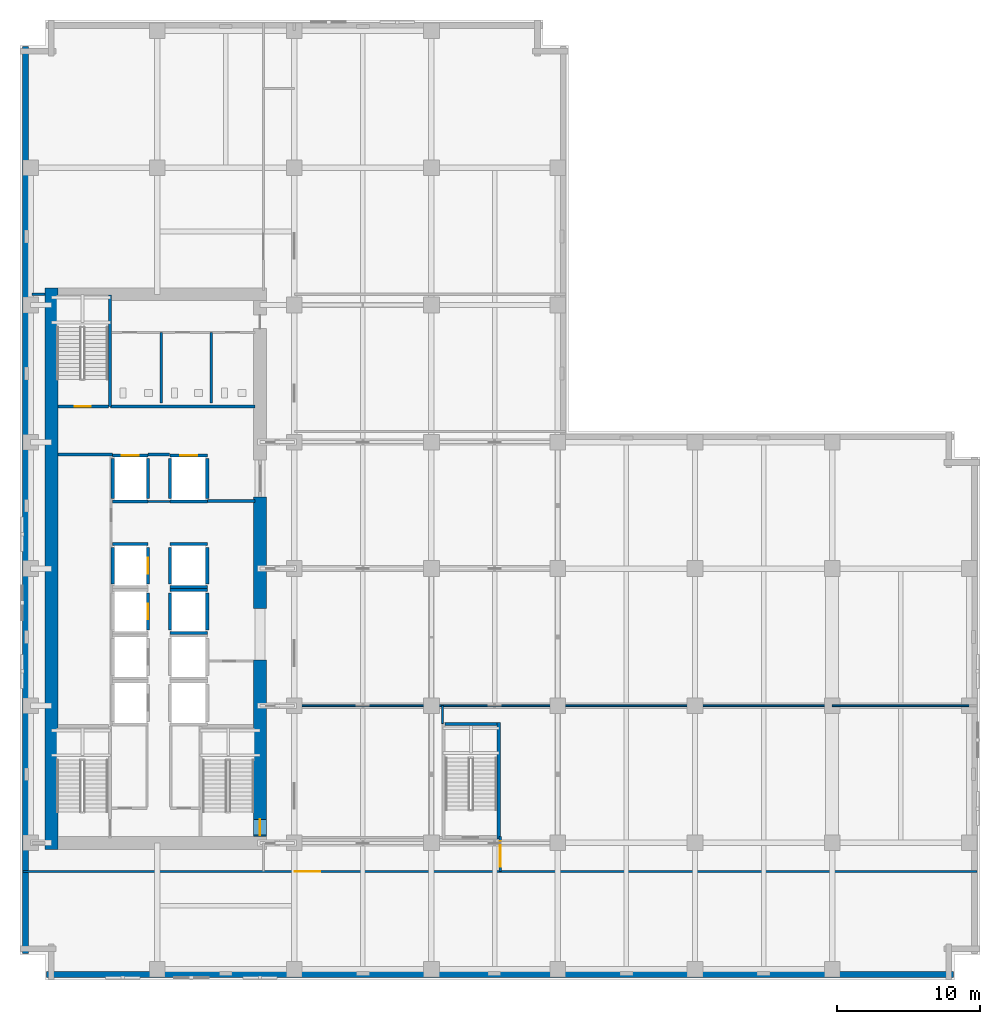
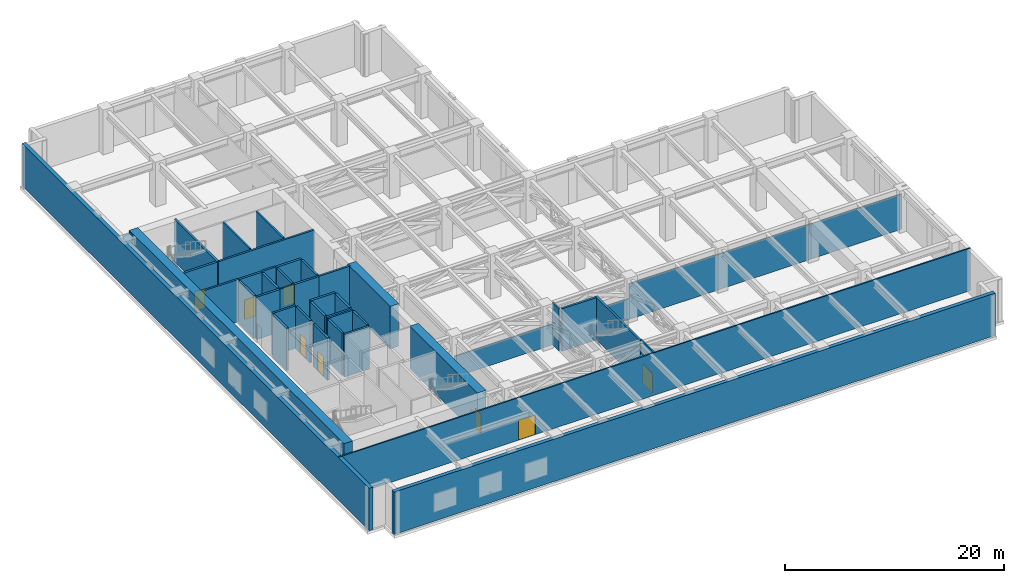
# One storey, part 14 of 22: 43 walls, 8 doors, 8 openings.
"""IFC4 building model written with IfcOpenShell, lengths in metres."""

from ifc_helpers import new_model, si_unit, direction, frame, frame_2d, origin, place, context, subcontext, project, spatial, rectangle, extrude, material, layer, layer_set, type_object, element, fill, save


model = new_model("IFC4")

# Units and contexts
model_context = context("Model", 3, precision=1e-05, world=origin(), true_north=direction((0.0, 1.0)))
body_context = subcontext(model_context, "Body", "Model", "MODEL_VIEW")
ifc_project = project(units=[si_unit("LENGTHUNIT", "METRE"), si_unit("AREAUNIT", "SQUARE_METRE"), si_unit("VOLUMEUNIT", "CUBIC_METRE"), si_unit("PLANEANGLEUNIT", "RADIAN"), si_unit("MASSUNIT", "GRAM", prefix="KILO")], contexts=[model_context])

# Site, building, storey
site_placement = place(None, origin())
site = spatial("IfcSite", under=ifc_project, at=site_placement, CompositionType="ELEMENT")
building_placement = place(site_placement, origin())
building = spatial("IfcBuilding", under=site, at=building_placement, Name="Norrvale University Quadrangle", CompositionType="ELEMENT")
storey_placement = place(building_placement, frame((0.0, 0.0, 96.39990234375)))
storey = spatial("IfcBuildingStorey", under=building, at=storey_placement, Name="L24", CompositionType="ELEMENT", Elevation=96.39990234375)

# Wall
ifc_material_1 = material(Name="Concrete C80/95", Category="concrete")
ifc_layer_1 = layer(ifc_material_1, 0.89990234375, Name="Concrete C80/95")
ifc_layer_set_1 = layer_set([ifc_layer_1], Name="Concrete C80/95")
wall_type_1 = type_object("IfcWallType", Name="Wall Core 900", PredefinedType="SHEAR", material=ifc_layer_set_1)
wall_1_placement = place(storey_placement, frame((2.199951171875, 9.14990234375, 0.0), z_axis=(0.0, 0.0, 1.0), x_axis=(0.0, 1.0, 0.0)))
element("IfcWall", 1, at=wall_1_placement, inside=storey, type_object=wall_type_1, Name="Tower Core Shear Wall L24-W", PredefinedType="SHEAR", context=body_context, shape_type="SweptSolid", body=[
    extrude(rectangle(XDim=39.300048828125, YDim=0.89990234375, at=frame_2d((19.64990234375, 0.0))), origin(), (0.0, 0.0, 1.0), 4.739990234375),
])

# Wall, opening, door
wall_2_placement = place(storey_placement, frame((16.800048828125, 10.050048828125, 0.0), z_axis=(0.0, 0.0, 1.0), x_axis=(0.0, 1.0, 0.0)))
wall_2 = element("IfcWall", 2, at=wall_2_placement, inside=storey, type_object=wall_type_1, Name="Tower Core Shear Wall L24-E1", PredefinedType="SHEAR", context=body_context, shape_type="SweptSolid", body=[
    extrude(rectangle(XDim=12.349853515625, YDim=0.89990234375, at=frame_2d((6.1748046875, 0.0))), origin(), (0.0, 0.0, 1.0), 4.739990234375),
])
opening_1_placement = place(wall_2_placement, frame((0.090087890625, 0.0, 0.0)))
opening_1 = element("IfcOpeningElement", 3, at=opening_1_placement, cuts=wall_2, Name="Opening D02", PredefinedType="OPENING", context=body_context, shape_type="SweptSolid", body=[
    extrude(rectangle(XDim=1.10009765625, YDim=2.199951171875, at=frame_2d((0.550048828125, 1.10009765625))), frame((0.0, 0.4619140625, 0.0), z_axis=(0.0, -1.0, 0.0), x_axis=(1.0, 0.0, 0.0)), (0.0, 0.0, 1.0), 0.923828125),
])
ifc_material_2 = material(Name="Hollow Steel 350W Fire Door", Category="steel")
door_type_1 = type_object("IfcDoorType", Name="Door Stair Exit 1100x2200", OperationType="NOTDEFINED", PredefinedType="DOOR", material=ifc_material_2)
door_1_placement = place(opening_1_placement, origin())
door_1 = element("IfcDoor", 4, at=door_1_placement, inside=storey, type_object=door_type_1, Name="Door Stair Exit 1100x2200 DR-L24-ST03", OperationType="SINGLE_SWING_LEFT", OverallHeight=2.199951171875, OverallWidth=1.10009765625, PredefinedType="DOOR", context=body_context, shape_type="SweptSolid", body=[
    extrude(rectangle(XDim=1.10009765625, YDim=2.199951171875, at=frame_2d((0.550048828125, 1.10009765625))), frame((0.0, 0.02490234375, 0.0), z_axis=(0.0, -1.0, 0.0), x_axis=(1.0, 0.0, 0.0)), (0.0, 0.0, 1.0), 0.050048828125),
])
fill(opening_1, door_1)

# Walls
wall_3_placement = place(storey_placement, frame((16.800048828125, 26.0, 0.0), z_axis=(0.0, 0.0, 1.0), x_axis=(0.0, 1.0, 0.0)))
element("IfcWall", 5, at=wall_3_placement, inside=storey, type_object=wall_type_1, Name="Tower Core Shear Wall L24-E2", PredefinedType="SHEAR", context=body_context, shape_type="SweptSolid", body=[
    extrude(rectangle(XDim=7.800048828125, YDim=0.89990234375, at=frame_2d((3.89990234375, 0.0))), origin(), (0.0, 0.0, 1.0), 4.739990234375),
])
ifc_material_3 = material(Name="Standard Academic Gypsum Partition")
ifc_layer_2 = layer(ifc_material_3, 0.125, Name="Standard Academic Gypsum Partition")
ifc_layer_set_2 = layer_set([ifc_layer_2], Name="Standard Academic Gypsum Partition")
wall_type_2 = type_object("IfcWallType", Name="Wall Gypsum Academic 125", PredefinedType="PARTITIONING", material=ifc_layer_set_2)
wall_4_placement = place(storey_placement, frame((29.580078125, 17.949951171875, 0.0), z_axis=(0.0, 0.0, 1.0), x_axis=(0.0, 1.0, 0.0)))
element("IfcWall", 6, at=wall_4_placement, inside=storey, type_object=wall_type_2, Name="Interior Partition WL-L24-SUB-E", PredefinedType="PARTITIONING", context=body_context, shape_type="SweptSolid", body=[
    extrude(rectangle(XDim=1.25, YDim=0.125, at=frame_2d((0.625, 0.0))), origin(), (0.0, 0.0, 1.0), 4.739990234375),
])
wall_5_placement = place(storey_placement, frame((19.199951171875, 19.199951171875, 0.0), z_axis=(0.0, 0.0, 1.0), x_axis=(1.0, 0.0, 0.0)))
element("IfcWall", 7, at=wall_5_placement, inside=storey, type_object=wall_type_2, Name="Interior Partition WL-L24-SUB-N", PredefinedType="PARTITIONING", context=body_context, shape_type="SweptSolid", body=[
    extrude(rectangle(XDim=18.449951171875, YDim=0.125, at=frame_2d((9.22509765625, 0.0))), origin(), (0.0, 0.0, 1.0), 2.322509765625),
])
wall_6_placement = place(storey_placement, frame((37.64990234375, 19.199951171875, 0.0), z_axis=(0.0, 0.0, 1.0), x_axis=(1.0, 0.0, 0.0)))
element("IfcWall", 8, at=wall_6_placement, inside=storey, type_object=wall_type_2, Name="Interior Partition WL-L24-SUB-N-B2", PredefinedType="PARTITIONING", context=body_context, shape_type="SweptSolid", body=[
    extrude(rectangle(XDim=19.2001953125, YDim=0.125, at=frame_2d((9.60009765625, 0.0))), origin(), (0.0, 0.0, 1.0), 3.967041015625),
])
wall_7_placement = place(storey_placement, frame((56.85009765625, 19.199951171875, 0.0), z_axis=(0.0, 0.0, 1.0), x_axis=(1.0, 0.0, 0.0)))
element("IfcWall", 9, at=wall_7_placement, inside=storey, type_object=wall_type_2, Name="Interior Partition WL-L24-SUB-N-B3", PredefinedType="PARTITIONING", context=body_context, shape_type="SweptSolid", body=[
    extrude(rectangle(XDim=9.599853515625, YDim=0.125, at=frame_2d((4.7998046875, 0.0))), origin(), (0.0, 0.0, 1.0), 3.927001953125),
])
ifc_material_4 = material(Name="Fire-Rated Gypsum Stud Partition")
ifc_layer_3 = layer(ifc_material_4, 0.14990234375, Name="Fire-Rated Gypsum Stud Partition")
ifc_layer_set_3 = layer_set([ifc_layer_3], Name="Fire-Rated Gypsum Stud Partition")
wall_type_3 = type_object("IfcWallType", Name="Wall Gypsum Corridor 150", PredefinedType="PARTITIONING", material=ifc_layer_set_3)
wall_8_placement = place(storey_placement, frame((8.965087890625, 33.489990234375, 0.0), z_axis=(0.0, 0.0, 1.0), x_axis=(1.0, 0.0, 0.0)))
element("IfcWall", 10, at=wall_8_placement, inside=storey, type_object=wall_type_3, Name="Interior Partition WL-L24-LL3", PredefinedType="PARTITIONING", context=body_context, shape_type="SweptSolid", body=[
    extrude(rectangle(XDim=1.52001953125, YDim=0.14990234375, at=frame_2d((0.760009765625, 0.0))), origin(), (0.0, 0.0, 1.0), 4.739990234375),
])

# Wall, opening, door
wall_9_placement = place(storey_placement, frame((0.219970703125, 7.60009765625, 0.0), z_axis=(0.0, 0.0, 1.0), x_axis=(1.0, 0.0, 0.0)))
wall_9 = element("IfcWall", 11, at=wall_9_placement, inside=storey, type_object=wall_type_3, Name="Interior Partition WL-L24-PMP-N", PredefinedType="PARTITIONING", context=body_context, shape_type="SweptSolid", body=[
    extrude(rectangle(XDim=66.760009765625, YDim=0.14990234375, at=frame_2d((33.3798828125, 0.0))), origin(), (0.0, 0.0, 1.0), 4.739990234375),
])
opening_2_placement = place(wall_9_placement, frame((19.0, 0.0, 0.0)))
opening_2 = element("IfcOpeningElement", 12, at=opening_2_placement, cuts=wall_9, Name="Opening D03", PredefinedType="OPENING", context=body_context, shape_type="SweptSolid", body=[
    extrude(rectangle(XDim=1.800048828125, YDim=2.199951171875, at=frame_2d((0.89990234375, 1.10009765625))), frame((0.0, 0.0869140625, 0.0), z_axis=(0.0, -1.0, 0.0), x_axis=(1.0, 0.0, 0.0)), (0.0, 0.0, 1.0), 0.173828125),
])
door_type_2 = type_object("IfcDoorType", Name="Door Fire Lobby 1800x2200", OperationType="DOUBLE_DOOR_SINGLE_SWING", PredefinedType="DOOR", material=ifc_material_2)
door_2_placement = place(opening_2_placement, origin())
door_2 = element("IfcDoor", 13, at=door_2_placement, inside=storey, type_object=door_type_2, Name="Door Fire Lobby 1800x2200 DR-L24-PMP1", OperationType="DOUBLE_DOOR_SINGLE_SWING", OverallHeight=2.199951171875, OverallWidth=1.800048828125, PredefinedType="DOOR", context=body_context, shape_type="SweptSolid", body=[
    extrude(rectangle(XDim=1.800048828125, YDim=2.199951171875, at=frame_2d((0.89990234375, 1.10009765625))), frame((0.0, 0.02490234375, 0.0), z_axis=(0.0, -1.0, 0.0), x_axis=(1.0, 0.0, 0.0)), (0.0, 0.0, 1.0), 0.050048828125),
])
fill(opening_2, door_2)

wall_10_placement = place(storey_placement, frame((33.6201171875, 7.60009765625, 0.0), z_axis=(0.0, 0.0, 1.0), x_axis=(0.0, 1.0, 0.0)))
wall_10 = element("IfcWall", 14, at=wall_10_placement, inside=storey, type_object=wall_type_3, Name="Interior Partition WL-L24-BLR-W", PredefinedType="PARTITIONING", context=body_context, shape_type="SweptSolid", body=[
    extrude(rectangle(XDim=2.449951171875, YDim=0.14990234375, at=frame_2d((1.22509765625, 0.0))), origin(), (0.0, 0.0, 1.0), 4.739990234375),
])
opening_3_placement = place(wall_10_placement, frame((0.320068359375, 0.0, 0.0)))
opening_3 = element("IfcOpeningElement", 15, at=opening_3_placement, cuts=wall_10, Name="Opening D03", PredefinedType="OPENING", context=body_context, shape_type="SweptSolid", body=[
    extrude(rectangle(XDim=1.800048828125, YDim=2.199951171875, at=frame_2d((0.89990234375, 1.10009765625))), frame((0.0, 0.0869140625, 0.0), z_axis=(0.0, -1.0, 0.0), x_axis=(1.0, 0.0, 0.0)), (0.0, 0.0, 1.0), 0.173828125),
])
door_3_placement = place(opening_3_placement, origin())
door_3 = element("IfcDoor", 16, at=door_3_placement, inside=storey, type_object=door_type_2, Name="Door Fire Lobby 1800x2200 DR-L24-BLR1", OperationType="DOUBLE_DOOR_SINGLE_SWING", OverallHeight=2.199951171875, OverallWidth=1.800048828125, PredefinedType="DOOR", context=body_context, shape_type="SweptSolid", body=[
    extrude(rectangle(XDim=1.800048828125, YDim=2.199951171875, at=frame_2d((0.89990234375, 1.10009765625))), frame((0.0, 0.02490234375, 0.0), z_axis=(0.0, -1.0, 0.0), x_axis=(1.0, 0.0, 0.0)), (0.0, 0.0, 1.0), 0.050048828125),
])
fill(opening_3, door_3)

# Walls
ifc_material_5 = material(Name="Sanitary Chase Gypsum Partition")
ifc_layer_4 = layer(ifc_material_5, 0.1650390625, Name="Sanitary Chase Gypsum Partition")
ifc_layer_set_4 = layer_set([ifc_layer_4], Name="Sanitary Chase Gypsum Partition")
wall_type_4 = type_object("IfcWallType", Name="Wall Gypsum Sanitary 165", PredefinedType="PLUMBINGWALL", material=ifc_layer_set_4)
for number, where, z_axis, x_axis, name in (
    (17, (9.89990234375, 40.39990234375, 0.0), (0.0, 0.0, 1.0), (0.0, 1.0, 0.0), "Interior Partition WL-L24-WCM1"),
    (18, (13.39990234375, 40.39990234375, 0.0), (0.0, 0.0, 1.0), (0.0, 1.0, 0.0), "Interior Partition WL-L24-WCM2"),
):
    element("IfcWall", number, at=place(storey_placement, frame(where, z_axis=z_axis, x_axis=x_axis)), inside=storey, type_object=wall_type_4, Name=name, PredefinedType="PLUMBINGWALL", context=body_context, shape_type="SweptSolid", body=[
        extrude(rectangle(XDim=4.920166015625, YDim=0.1650390625, at=frame_2d((2.4599609375, 0.0))), origin(), (0.0, 0.0, 1.0), 4.739990234375),
    ])
ifc_material_6 = material(Name="Concrete Blockwork 20 MPa Rated Wall", Category="masonry")
ifc_layer_5 = layer(ifc_material_6, 0.199951171875, Name="Concrete Blockwork 20 MPa Rated Wall")
ifc_layer_set_5 = layer_set([ifc_layer_5], Name="Concrete Blockwork 20 MPa Rated Wall")
wall_type_5 = type_object("IfcWallType", Name="Wall Lobby 200", PredefinedType="SOLIDWALL", material=ifc_layer_set_5)
wall_11_placement = place(storey_placement, frame((2.64990234375, 36.780029296875, 0.0), z_axis=(0.0, 0.0, 1.0), x_axis=(1.0, 0.0, 0.0)))
element("IfcWall", 19, at=wall_11_placement, inside=storey, type_object=wall_type_5, Name="Interior Partition WL-L24-FF1", PredefinedType="SOLIDWALL", context=body_context, shape_type="SweptSolid", body=[
    extrude(rectangle(XDim=3.830078125, YDim=0.199951171875, at=frame_2d((1.9150390625, 0.0))), origin(), (0.0, 0.0, 1.0), 4.739990234375),
])
wall_12_placement = place(storey_placement, frame((8.969970703125, 36.780029296875, 0.0), z_axis=(0.0, 0.0, 1.0), x_axis=(1.0, 0.0, 0.0)))
element("IfcWall", 20, at=wall_12_placement, inside=storey, type_object=wall_type_5, Name="Interior Partition WL-L24-FF2", PredefinedType="SOLIDWALL", context=body_context, shape_type="SweptSolid", body=[
    extrude(rectangle(XDim=1.510009765625, YDim=0.199951171875, at=frame_2d((0.7548828125, 0.0))), origin(), (0.0, 0.0, 1.0), 4.739990234375),
])
wall_13_placement = place(storey_placement, frame((13.1201171875, 33.52001953125, 0.0), z_axis=(0.0, 0.0, 1.0), x_axis=(1.0, 0.0, 0.0)))
element("IfcWall", 21, at=wall_13_placement, inside=storey, type_object=wall_type_5, Name="Interior Partition WL-L24-FF3", PredefinedType="SOLIDWALL", context=body_context, shape_type="SweptSolid", body=[
    extrude(rectangle(XDim=3.329833984375, YDim=0.199951171875, at=frame_2d((1.6650390625, 0.0))), origin(), (0.0, 0.0, 1.0), 4.739990234375),
])
wall_14_placement = place(storey_placement, frame((6.320068359375, 40.139892578125, 0.0), z_axis=(0.0, 0.0, 1.0), x_axis=(1.0, 0.0, 0.0)))
element("IfcWall", 22, at=wall_14_placement, inside=storey, type_object=wall_type_5, Name="Interior Partition WL-L24-FF4", PredefinedType="SOLIDWALL", context=body_context, shape_type="SweptSolid", body=[
    extrude(rectangle(XDim=10.1298828125, YDim=0.199951171875, at=frame_2d((5.06494140625, 0.0))), origin(), (0.0, 0.0, 1.0), 4.739990234375),
])
wall_15_placement = place(storey_placement, frame((0.85009765625, 48.0, 0.0), z_axis=(0.0, 0.0, 1.0), x_axis=(1.0, 0.0, 0.0)))
element("IfcWall", 23, at=wall_15_placement, inside=storey, type_object=wall_type_5, Name="Interior Partition WL-L24-CWRET-N", PredefinedType="SOLIDWALL", context=body_context, shape_type="SweptSolid", body=[
    extrude(rectangle(XDim=0.89501953125, YDim=0.199951171875, at=frame_2d((0.447509765625, 0.0))), origin(), (0.0, 0.0, 1.0), 4.739990234375),
])
ifc_material_7 = material(Name="Red Manganese Brick Masonry", Category="masonry")
ifc_layer_6 = layer(ifc_material_7, 0.39990234375, Name="Red Manganese Brick Masonry")
ifc_layer_set_6 = layer_set([ifc_layer_6], Name="Red Manganese Brick Masonry")
wall_type_6 = type_object("IfcWallType", Name="Wall Red Brick 400", PredefinedType="SOLIDWALL", material=ifc_layer_set_6)
for number, where, z_axis, x_axis, name in (
    (24, (1.840087890625, 0.3798828125, 0.0), (0.0, 0.0, 1.0), (1.0, 0.0, 0.0), "Exterior Brick Facade Wall L24-01.1"),
    (25, (0.3798828125, 65.360107421875, 0.0), (0.0, 0.0, 1.0), (0.0, -1.0, 0.0), "Exterior Brick Facade Wall L24-14.1"),
):
    element("IfcWall", number, at=place(storey_placement, frame(where, z_axis=z_axis, x_axis=x_axis)), inside=storey, type_object=wall_type_6, Name=name, PredefinedType="SOLIDWALL", context=body_context, shape_type="SweptSolid", body=[
        extrude(rectangle(XDim=63.52001953125, YDim=0.39990234375, at=frame_2d((31.760009765625, 0.0))), origin(), (0.0, 0.0, 1.0), 4.739990234375),
    ])

# Wall, opening, door
ifc_material_8 = material(Name="Concrete Blockwork 20 MPa Fire Shaft", Category="masonry")
ifc_layer_7 = layer(ifc_material_8, 0.219970703125, Name="Concrete Blockwork 20 MPa Fire Shaft")
ifc_layer_set_7 = layer_set([ifc_layer_7], Name="Concrete Blockwork 20 MPa Fire Shaft")
wall_type_7 = type_object("IfcWallType", Name="Wall Shaft 220", PredefinedType="SOLIDWALL", material=ifc_layer_set_7)
wall_16_placement = place(storey_placement, frame((2.64990234375, 40.139892578125, 0.0), z_axis=(0.0, 0.0, 1.0), x_axis=(1.0, 0.0, 0.0)))
wall_16 = element("IfcWall", 26, at=wall_16_placement, inside=storey, type_object=wall_type_7, Name="Stair ST-02 South Shaft Wall L24", PredefinedType="SOLIDWALL", context=body_context, shape_type="SweptSolid", body=[
    extrude(rectangle(XDim=3.550048828125, YDim=0.219970703125, at=frame_2d((1.77490234375, 0.0))), origin(), (0.0, 0.0, 1.0), 4.739990234375),
])
opening_4_placement = place(wall_16_placement, frame((1.199951171875, 0.0, 0.0)))
opening_4 = element("IfcOpeningElement", 27, at=opening_4_placement, cuts=wall_16, Name="Opening D02", PredefinedType="OPENING", context=body_context, shape_type="SweptSolid", body=[
    extrude(rectangle(XDim=1.10009765625, YDim=2.199951171875, at=frame_2d((0.550048828125, 1.10009765625))), frame((0.0, 0.1220703125, 0.0), z_axis=(0.0, -1.0, 0.0), x_axis=(1.0, 0.0, 0.0)), (0.0, 0.0, 1.0), 0.243896484375),
])
door_4_placement = place(opening_4_placement, origin())
door_4 = element("IfcDoor", 28, at=door_4_placement, inside=storey, type_object=door_type_1, Name="Door Stair Exit 1100x2200 DR-L24-ST02", OperationType="SINGLE_SWING_LEFT", OverallHeight=2.199951171875, OverallWidth=1.10009765625, PredefinedType="DOOR", context=body_context, shape_type="SweptSolid", body=[
    extrude(rectangle(XDim=1.10009765625, YDim=2.199951171875, at=frame_2d((0.550048828125, 1.10009765625))), frame((0.0, 0.02490234375, 0.0), z_axis=(0.0, -1.0, 0.0), x_axis=(1.0, 0.0, 0.0)), (0.0, 0.0, 1.0), 0.050048828125),
])
fill(opening_4, door_4)

# Walls
wall_17_placement = place(storey_placement, frame((6.31005859375, 40.139892578125, 0.0), z_axis=(0.0, 0.0, 1.0), x_axis=(0.0, 1.0, 0.0)))
element("IfcWall", 29, at=wall_17_placement, inside=storey, type_object=wall_type_7, Name="Stair ST-02 East Shaft Wall L24", PredefinedType="SOLIDWALL", context=body_context, shape_type="SweptSolid", body=[
    extrude(rectangle(XDim=7.81005859375, YDim=0.219970703125, at=frame_2d((3.905029296875, 0.0))), origin(), (0.0, 0.0, 1.0), 4.739990234375),
])
wall_18_placement = place(storey_placement, frame((33.510009765625, 9.8798828125, 0.0), z_axis=(0.0, 0.0, 1.0), x_axis=(0.0, 1.0, 0.0)))
element("IfcWall", 30, at=wall_18_placement, inside=storey, type_object=wall_type_7, Name="Stair ST-04 East Shaft Wall L24", PredefinedType="SOLIDWALL", context=body_context, shape_type="SweptSolid", body=[
    extrude(rectangle(XDim=8.14013671875, YDim=0.219970703125, at=frame_2d((4.070068359375, 0.0))), origin(), (0.0, 0.0, 1.0), 4.739990234375),
])
wall_19_placement = place(storey_placement, frame((29.75, 17.909912109375, 0.0), z_axis=(0.0, 0.0, 1.0), x_axis=(1.0, 0.0, 0.0)))
element("IfcWall", 31, at=wall_19_placement, inside=storey, type_object=wall_type_7, Name="Stair ST-04 North Shaft Wall L24", PredefinedType="SOLIDWALL", context=body_context, shape_type="SweptSolid", body=[
    extrude(rectangle(XDim=3.64990234375, YDim=0.219970703125, at=frame_2d((1.824951171875, 0.0))), origin(), (0.0, 0.0, 1.0), 4.739990234375),
])

# Wall, opening, door
wall_20_placement = place(storey_placement, frame((8.9599609375, 24.510009765625, 0.0), z_axis=(0.0, 0.0, 1.0), x_axis=(0.0, 1.0, 0.0)))
wall_20 = element("IfcWall", 32, at=wall_20_placement, inside=storey, type_object=wall_type_7, Name="Hoistway PL-03 East Wall L24", PredefinedType="SOLIDWALL", context=body_context, shape_type="SweptSolid", body=[
    extrude(rectangle(XDim=2.580078125, YDim=0.219970703125, at=frame_2d((1.2900390625, 0.0))), origin(), (0.0, 0.0, 1.0), 4.739990234375),
])
opening_5_placement = place(wall_20_placement, frame((0.739990234375, 0.0, 0.0)))
opening_5 = element("IfcOpeningElement", 33, at=opening_5_placement, cuts=wall_20, Name="Opening LD1", PredefinedType="OPENING", context=body_context, shape_type="SweptSolid", body=[
    extrude(rectangle(XDim=1.10009765625, YDim=2.199951171875, at=frame_2d((0.550048828125, 1.10009765625))), frame((0.0, 0.1220703125, 0.0), z_axis=(0.0, -1.0, 0.0), x_axis=(1.0, 0.0, 0.0)), (0.0, 0.0, 1.0), 0.243896484375),
])
ifc_material_9 = material(Name="Stainless Steel 316L Lift Landing Door", Category="steel")
door_type_3 = type_object("IfcDoorType", Name="Door Lift Landing 1100x2200", OperationType="DOUBLE_DOOR_SLIDING", PredefinedType="DOOR", material=ifc_material_9)
door_5_placement = place(opening_5_placement, origin())
door_5 = element("IfcDoor", 34, at=door_5_placement, inside=storey, type_object=door_type_3, Name="Elevator Landing Door DR-L24-PL-03", OperationType="DOUBLE_DOOR_SLIDING", OverallHeight=2.199951171875, OverallWidth=1.10009765625, PredefinedType="DOOR", context=body_context, shape_type="SweptSolid", body=[
    extrude(rectangle(XDim=1.10009765625, YDim=2.199951171875, at=frame_2d((0.550048828125, 1.10009765625))), frame((0.0, 0.02490234375, 0.0), z_axis=(0.0, -1.0, 0.0), x_axis=(1.0, 0.0, 0.0)), (0.0, 0.0, 1.0), 0.050048828125),
])
fill(opening_5, door_5)

# Wall
wall_21_placement = place(storey_placement, frame((6.489990234375, 27.7099609375, 0.0), z_axis=(0.0, 0.0, 1.0), x_axis=(0.0, 1.0, 0.0)))
element("IfcWall", 35, at=wall_21_placement, inside=storey, type_object=wall_type_7, Name="Hoistway PL-04 West Wall L24", PredefinedType="SOLIDWALL", context=body_context, shape_type="SweptSolid", body=[
    extrude(rectangle(XDim=2.580078125, YDim=0.219970703125, at=frame_2d((1.2900390625, 0.0))), origin(), (0.0, 0.0, 1.0), 4.739990234375),
])

# Wall, opening, door
wall_22_placement = place(storey_placement, frame((8.9599609375, 27.7099609375, 0.0), z_axis=(0.0, 0.0, 1.0), x_axis=(0.0, 1.0, 0.0)))
wall_22 = element("IfcWall", 36, at=wall_22_placement, inside=storey, type_object=wall_type_7, Name="Hoistway PL-04 East Wall L24", PredefinedType="SOLIDWALL", context=body_context, shape_type="SweptSolid", body=[
    extrude(rectangle(XDim=2.580078125, YDim=0.219970703125, at=frame_2d((1.2900390625, 0.0))), origin(), (0.0, 0.0, 1.0), 4.739990234375),
])
opening_6_placement = place(wall_22_placement, frame((0.739990234375, 0.0, 0.0)))
opening_6 = element("IfcOpeningElement", 37, at=opening_6_placement, cuts=wall_22, Name="Opening LD1", PredefinedType="OPENING", context=body_context, shape_type="SweptSolid", body=[
    extrude(rectangle(XDim=1.10009765625, YDim=2.199951171875, at=frame_2d((0.550048828125, 1.10009765625))), frame((0.0, 0.1220703125, 0.0), z_axis=(0.0, -1.0, 0.0), x_axis=(1.0, 0.0, 0.0)), (0.0, 0.0, 1.0), 0.243896484375),
])
door_6_placement = place(opening_6_placement, origin())
door_6 = element("IfcDoor", 38, at=door_6_placement, inside=storey, type_object=door_type_3, Name="Elevator Landing Door DR-L24-PL-04", OperationType="DOUBLE_DOOR_SLIDING", OverallHeight=2.199951171875, OverallWidth=1.10009765625, PredefinedType="DOOR", context=body_context, shape_type="SweptSolid", body=[
    extrude(rectangle(XDim=1.10009765625, YDim=2.199951171875, at=frame_2d((0.550048828125, 1.10009765625))), frame((0.0, 0.02490234375, 0.0), z_axis=(0.0, -1.0, 0.0), x_axis=(1.0, 0.0, 0.0)), (0.0, 0.0, 1.0), 0.050048828125),
])
fill(opening_6, door_6)

# Walls
wall_23_placement = place(storey_placement, frame((6.489990234375, 30.510009765625, 0.0), z_axis=(0.0, 0.0, 1.0), x_axis=(1.0, 0.0, 0.0)))
element("IfcWall", 39, at=wall_23_placement, inside=storey, type_object=wall_type_7, Name="Hoistway PL-04 North Wall L24", PredefinedType="SOLIDWALL", context=body_context, shape_type="SweptSolid", body=[
    extrude(rectangle(XDim=2.469970703125, YDim=0.219970703125, at=frame_2d((1.23486328125, 0.0))), origin(), (0.0, 0.0, 1.0), 4.739990234375),
])
for number, where, z_axis, x_axis, name in (
    (40, (10.489990234375, 24.510009765625, 0.0), (0.0, 0.0, 1.0), (0.0, 1.0, 0.0), "Hoistway PL-07 West Wall L24"),
    (41, (13.110107421875, 24.510009765625, 0.0), (0.0, 0.0, 1.0), (0.0, 1.0, 0.0), "Hoistway PL-07 East Wall L24"),
):
    element("IfcWall", number, at=place(storey_placement, frame(where, z_axis=z_axis, x_axis=x_axis)), inside=storey, type_object=wall_type_7, Name=name, PredefinedType="SOLIDWALL", context=body_context, shape_type="SweptSolid", body=[
        extrude(rectangle(XDim=2.580078125, YDim=0.219970703125, at=frame_2d((1.2900390625, 0.0))), origin(), (0.0, 0.0, 1.0), 4.739990234375),
    ])
for number, where, z_axis, x_axis, name in (
    (42, (10.489990234375, 24.2900390625, 0.0), (0.0, 0.0, 1.0), (1.0, 0.0, 0.0), "Hoistway PL-07 South Wall L24"),
    (43, (10.489990234375, 27.31005859375, 0.0), (0.0, 0.0, 1.0), (1.0, 0.0, 0.0), "Hoistway PL-07 North Wall L24"),
):
    element("IfcWall", number, at=place(storey_placement, frame(where, z_axis=z_axis, x_axis=x_axis)), inside=storey, type_object=wall_type_7, Name=name, PredefinedType="SOLIDWALL", context=body_context, shape_type="SweptSolid", body=[
        extrude(rectangle(XDim=2.6201171875, YDim=0.219970703125, at=frame_2d((1.31005859375, 0.0))), origin(), (0.0, 0.0, 1.0), 4.739990234375),
    ])
for number, where, z_axis, x_axis, name in (
    (44, (10.489990234375, 27.7099609375, 0.0), (0.0, 0.0, 1.0), (0.0, 1.0, 0.0), "Hoistway PL-08 West Wall L24"),
    (45, (13.110107421875, 27.7099609375, 0.0), (0.0, 0.0, 1.0), (0.0, 1.0, 0.0), "Hoistway PL-08 East Wall L24"),
):
    element("IfcWall", number, at=place(storey_placement, frame(where, z_axis=z_axis, x_axis=x_axis)), inside=storey, type_object=wall_type_7, Name=name, PredefinedType="SOLIDWALL", context=body_context, shape_type="SweptSolid", body=[
        extrude(rectangle(XDim=2.580078125, YDim=0.219970703125, at=frame_2d((1.2900390625, 0.0))), origin(), (0.0, 0.0, 1.0), 4.739990234375),
    ])
for number, where, z_axis, x_axis, name in (
    (46, (10.489990234375, 27.489990234375, 0.0), (0.0, 0.0, 1.0), (1.0, 0.0, 0.0), "Hoistway PL-08 South Wall L24"),
    (47, (10.489990234375, 30.510009765625, 0.0), (0.0, 0.0, 1.0), (1.0, 0.0, 0.0), "Hoistway PL-08 North Wall L24"),
):
    element("IfcWall", number, at=place(storey_placement, frame(where, z_axis=z_axis, x_axis=x_axis)), inside=storey, type_object=wall_type_7, Name=name, PredefinedType="SOLIDWALL", context=body_context, shape_type="SweptSolid", body=[
        extrude(rectangle(XDim=2.6201171875, YDim=0.219970703125, at=frame_2d((1.31005859375, 0.0))), origin(), (0.0, 0.0, 1.0), 4.739990234375),
    ])
for number, where, z_axis, x_axis, name in (
    (48, (6.489990234375, 33.7099609375, 0.0), (0.0, 0.0, 1.0), (0.0, 1.0, 0.0), "Hoistway FFL-01 West Wall L24"),
    (49, (8.9599609375, 33.7099609375, 0.0), (0.0, 0.0, 1.0), (0.0, 1.0, 0.0), "Hoistway FFL-01 East Wall L24"),
):
    element("IfcWall", number, at=place(storey_placement, frame(where, z_axis=z_axis, x_axis=x_axis)), inside=storey, type_object=wall_type_7, Name=name, PredefinedType="SOLIDWALL", context=body_context, shape_type="SweptSolid", body=[
        extrude(rectangle(XDim=2.780029296875, YDim=0.219970703125, at=frame_2d((1.39013671875, 0.0))), origin(), (0.0, 0.0, 1.0), 4.739990234375),
    ])
wall_24_placement = place(storey_placement, frame((6.489990234375, 33.489990234375, 0.0), z_axis=(0.0, 0.0, 1.0), x_axis=(1.0, 0.0, 0.0)))
element("IfcWall", 50, at=wall_24_placement, inside=storey, type_object=wall_type_7, Name="Hoistway FFL-01 South Wall L24", PredefinedType="SOLIDWALL", context=body_context, shape_type="SweptSolid", body=[
    extrude(rectangle(XDim=2.469970703125, YDim=0.219970703125, at=frame_2d((1.23486328125, 0.0))), origin(), (0.0, 0.0, 1.0), 4.739990234375),
])

# Wall, opening, door
wall_25_placement = place(storey_placement, frame((6.489990234375, 36.7099609375, 0.0), z_axis=(0.0, 0.0, 1.0), x_axis=(1.0, 0.0, 0.0)))
wall_25 = element("IfcWall", 51, at=wall_25_placement, inside=storey, type_object=wall_type_7, Name="Hoistway FFL-01 North Wall L24", PredefinedType="SOLIDWALL", context=body_context, shape_type="SweptSolid", body=[
    extrude(rectangle(XDim=2.469970703125, YDim=0.219970703125, at=frame_2d((1.23486328125, 0.0))), origin(), (0.0, 0.0, 1.0), 4.739990234375),
])
opening_7_placement = place(wall_25_placement, frame((0.635009765625, 0.0, 0.0)))
opening_7 = element("IfcOpeningElement", 52, at=opening_7_placement, cuts=wall_25, Name="Opening LD2", PredefinedType="OPENING", context=body_context, shape_type="SweptSolid", body=[
    extrude(rectangle(XDim=1.199951171875, YDim=2.199951171875, at=frame_2d((0.60009765625, 1.10009765625))), frame((0.0, 0.1220703125, 0.0), z_axis=(0.0, -1.0, 0.0), x_axis=(1.0, 0.0, 0.0)), (0.0, 0.0, 1.0), 0.243896484375),
])
ifc_material_10 = material(Name="Stainless Steel 316L Firefighter Lift Door", Category="steel")
door_type_4 = type_object("IfcDoorType", Name="Door Fire Lift 1200x2200", OperationType="DOUBLE_DOOR_SLIDING", PredefinedType="DOOR", material=ifc_material_10)
door_7_placement = place(opening_7_placement, origin())
door_7 = element("IfcDoor", 53, at=door_7_placement, inside=storey, type_object=door_type_4, Name="Elevator Landing Door DR-L24-FFL-01", OperationType="DOUBLE_DOOR_SLIDING", OverallHeight=2.199951171875, OverallWidth=1.199951171875, PredefinedType="DOOR", context=body_context, shape_type="SweptSolid", body=[
    extrude(rectangle(XDim=1.199951171875, YDim=2.199951171875, at=frame_2d((0.60009765625, 1.10009765625))), frame((0.0, 0.02490234375, 0.0), z_axis=(0.0, -1.0, 0.0), x_axis=(1.0, 0.0, 0.0)), (0.0, 0.0, 1.0), 0.050048828125),
])
fill(opening_7, door_7)

# Walls
for number, where, z_axis, x_axis, name in (
    (54, (10.489990234375, 33.7099609375, 0.0), (0.0, 0.0, 1.0), (0.0, 1.0, 0.0), "Hoistway FFL-02 West Wall L24"),
    (55, (13.110107421875, 33.7099609375, 0.0), (0.0, 0.0, 1.0), (0.0, 1.0, 0.0), "Hoistway FFL-02 East Wall L24"),
):
    element("IfcWall", number, at=place(storey_placement, frame(where, z_axis=z_axis, x_axis=x_axis)), inside=storey, type_object=wall_type_7, Name=name, PredefinedType="SOLIDWALL", context=body_context, shape_type="SweptSolid", body=[
        extrude(rectangle(XDim=2.780029296875, YDim=0.219970703125, at=frame_2d((1.39013671875, 0.0))), origin(), (0.0, 0.0, 1.0), 4.739990234375),
    ])
wall_26_placement = place(storey_placement, frame((10.489990234375, 33.489990234375, 0.0), z_axis=(0.0, 0.0, 1.0), x_axis=(1.0, 0.0, 0.0)))
element("IfcWall", 56, at=wall_26_placement, inside=storey, type_object=wall_type_7, Name="Hoistway FFL-02 South Wall L24", PredefinedType="SOLIDWALL", context=body_context, shape_type="SweptSolid", body=[
    extrude(rectangle(XDim=2.6201171875, YDim=0.219970703125, at=frame_2d((1.31005859375, 0.0))), origin(), (0.0, 0.0, 1.0), 4.739990234375),
])

# Wall, opening, door
wall_27_placement = place(storey_placement, frame((10.489990234375, 36.7099609375, 0.0), z_axis=(0.0, 0.0, 1.0), x_axis=(1.0, 0.0, 0.0)))
wall_27 = element("IfcWall", 57, at=wall_27_placement, inside=storey, type_object=wall_type_7, Name="Hoistway FFL-02 North Wall L24", PredefinedType="SOLIDWALL", context=body_context, shape_type="SweptSolid", body=[
    extrude(rectangle(XDim=2.6201171875, YDim=0.219970703125, at=frame_2d((1.31005859375, 0.0))), origin(), (0.0, 0.0, 1.0), 4.739990234375),
])
opening_8_placement = place(wall_27_placement, frame((0.7099609375, 0.0, 0.0)))
opening_8 = element("IfcOpeningElement", 58, at=opening_8_placement, cuts=wall_27, Name="Opening LD2", PredefinedType="OPENING", context=body_context, shape_type="SweptSolid", body=[
    extrude(rectangle(XDim=1.199951171875, YDim=2.199951171875, at=frame_2d((0.60009765625, 1.10009765625))), frame((0.0, 0.1220703125, 0.0), z_axis=(0.0, -1.0, 0.0), x_axis=(1.0, 0.0, 0.0)), (0.0, 0.0, 1.0), 0.243896484375),
])
door_8_placement = place(opening_8_placement, origin())
door_8 = element("IfcDoor", 59, at=door_8_placement, inside=storey, type_object=door_type_4, Name="Elevator Landing Door DR-L24-FFL-02", OperationType="DOUBLE_DOOR_SLIDING", OverallHeight=2.199951171875, OverallWidth=1.199951171875, PredefinedType="DOOR", context=body_context, shape_type="SweptSolid", body=[
    extrude(rectangle(XDim=1.199951171875, YDim=2.199951171875, at=frame_2d((0.60009765625, 1.10009765625))), frame((0.0, 0.02490234375, 0.0), z_axis=(0.0, -1.0, 0.0), x_axis=(1.0, 0.0, 0.0)), (0.0, 0.0, 1.0), 0.050048828125),
])
fill(opening_8, door_8)

save(model, "model.ifc")
